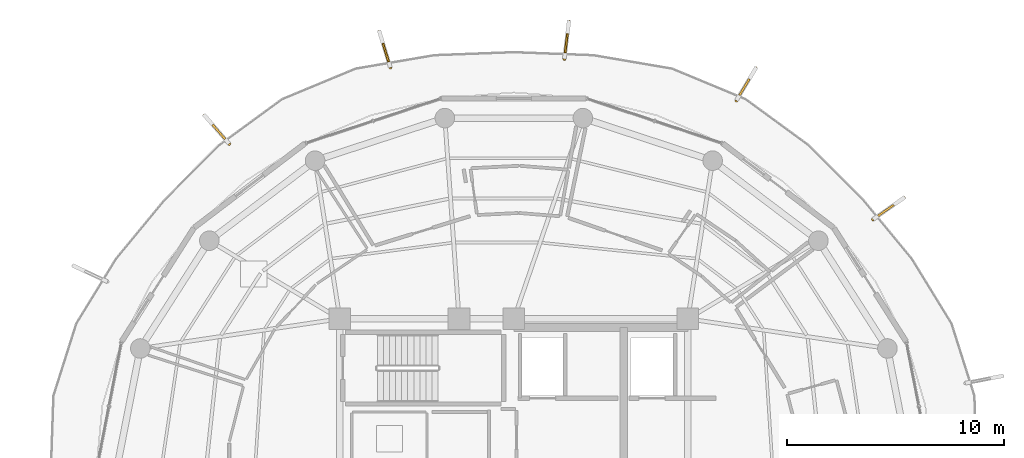
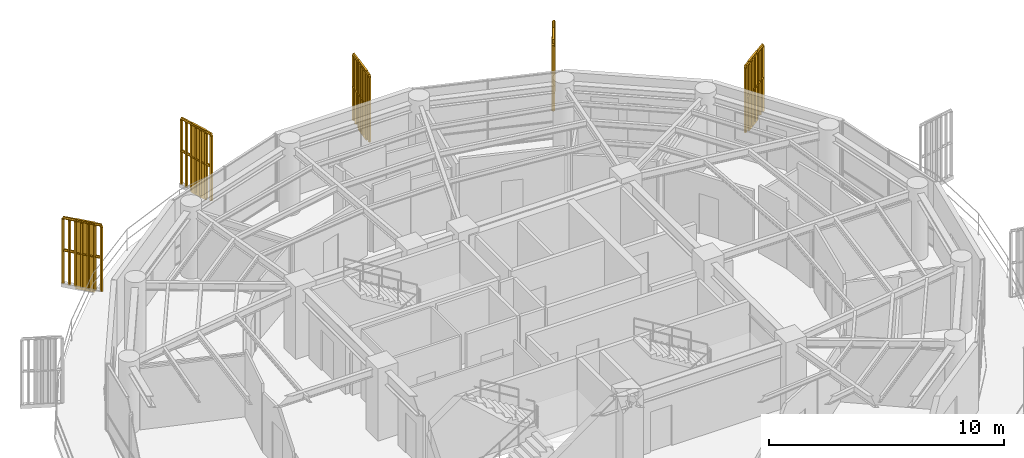
# One storey, part 24 of 24: 5 railings, 5 shading devices.
"""IFC4 building model written with IfcOpenShell, lengths in metres."""

import ifcopenshell
import ifcopenshell.guid

model = None  # the IFC model being written
_history = None  # IfcOwnerHistory: only IFC2X3 demands one
_inside = {}  # id of a spatial element -> (the spatial element, [elements in it])
_under = {}  # id of a project, library or spatial element -> (it, [spatial elements below it])
_declared = {}  # id of a project -> (the project, [libraries it declares])
_typed = {}  # id of a type object -> (the type object, [elements of that type])
_made_of = {}  # id of a material, layer set ... -> (it, [elements and type objects made of it])


def new_model(schema):
    """Start an empty IFC model of exactly this schema.

    Asked for "IFC4X3", IfcOpenShell would pick the latest addendum, in which some entities
    have other attributes; the version numbers below select the first issue.
    IFC2X3 requires an IfcOwnerHistory on every rooted entity: one is made here for all.
    """
    global model, _history
    if schema == "IFC4X3":
        model = ifcopenshell.file(schema_version=(4, 3, 0, 0))
    else:
        model = ifcopenshell.file(schema=schema)
    _inside.clear()
    _under.clear()
    _declared.clear()
    _typed.clear()
    _made_of.clear()
    _history = None
    if model.schema == "IFC2X3":
        org = make("IfcOrganization", Name="unknown")
        user = make(
            "IfcPersonAndOrganization",
            ThePerson=make("IfcPerson", FamilyName="unknown"),
            TheOrganization=org,
        )
        app = make(
            "IfcApplication",
            ApplicationDeveloper=org,
            Version="unknown",
            ApplicationFullName="unknown",
            ApplicationIdentifier="unknown",
        )
        _history = make(
            "IfcOwnerHistory",
            OwningUser=user,
            OwningApplication=app,
            ChangeAction="ADDED",
            CreationDate=0,
        )
    return model


def make(cls, **values):
    """One entity of the class cls with the attributes given. An attribute that is None is left unset."""
    return model.create_entity(
        cls, **{name: value for name, value in values.items() if value is not None}
    )


def rooted(cls, **values):
    """An entity with a GlobalId (a new one), such as an element, a storey or a relation."""
    return make(cls, GlobalId=ifcopenshell.guid.new(), OwnerHistory=_history, **values)


def si_unit(unit_type, name, prefix=None):
    """IfcSIUnit, for example si_unit("LENGTHUNIT", "METRE", prefix="MILLI")."""
    return make("IfcSIUnit", UnitType=unit_type, Prefix=prefix, Name=name)


def assignment(units):
    """IfcUnitAssignment: the units of a project."""
    return None if units is None else make("IfcUnitAssignment", Units=units)


def point(xyz):
    """IfcCartesianPoint."""
    return None if xyz is None else make("IfcCartesianPoint", Coordinates=xyz)


def direction(xyz):
    """IfcDirection."""
    return None if xyz is None else make("IfcDirection", DirectionRatios=xyz)


def frame(location, z_axis=None, x_axis=None):
    """IfcAxis2Placement3D, a coordinate frame: its origin and axes. An axis left out is left unset."""
    return make(
        "IfcAxis2Placement3D",
        Location=point(location),
        Axis=direction(z_axis),
        RefDirection=direction(x_axis),
    )


def frame_2d(location, x_axis=None):
    """IfcAxis2Placement2D, a coordinate frame in the plane: its origin and x axis."""
    return make(
        "IfcAxis2Placement2D", Location=point(location), RefDirection=direction(x_axis)
    )


def origin():
    """The frame at (0, 0, 0) with its axes left unset."""
    return frame((0.0, 0.0, 0.0))


def origin_2d():
    """The frame at (0, 0) in the plane with its x axis left unset."""
    return frame_2d((0.0, 0.0))


def place(relative_to, where):
    """IfcLocalPlacement: puts the frame where relative to a parent placement (None: the world)."""
    return make(
        "IfcLocalPlacement", PlacementRelTo=relative_to, RelativePlacement=where
    )


def context(
    kind, dimensions, precision=None, world=None, true_north=None, identifier=None
):
    """IfcGeometricRepresentationContext, for example the 3D "Model" context."""
    return make(
        "IfcGeometricRepresentationContext",
        ContextIdentifier=identifier,
        ContextType=kind,
        CoordinateSpaceDimension=dimensions,
        Precision=precision,
        WorldCoordinateSystem=world,
        TrueNorth=true_north,
    )


def subcontext(parent, identifier, kind, view, scale=None):
    """IfcGeometricRepresentationSubContext, for example "Body" below "Model"."""
    return make(
        "IfcGeometricRepresentationSubContext",
        ContextIdentifier=identifier,
        ContextType=kind,
        ParentContext=parent,
        TargetScale=scale,
        TargetView=view,
    )


def project(units=None, contexts=None):
    """IfcProject with its units and contexts."""
    return rooted(
        "IfcProject",
        Name="project",
        RepresentationContexts=contexts,
        UnitsInContext=assignment(units),
    )


def spatial(cls, under=None, at=None, **own):
    """A site, building, storey or space (cls), placed at a placement, below another one or the project."""
    s = rooted(cls, ObjectPlacement=at, **own)
    if under is not None:
        _under.setdefault(under.id(), (under, []))[1].append(s)
    return s


def polyline(points):
    """IfcPolyline through the points."""
    return make("IfcPolyline", Points=[point(p) for p in points])


def profile(cls, at=None, kind="AREA", **sizes):
    """A parametric profile (cls). Its sizes go by their IFC names, for example OverallWidth=200.0."""
    return make(cls, ProfileType=kind, Position=at, **sizes)


def rectangle(**sizes):
    """IfcRectangleProfileDef."""
    return profile("IfcRectangleProfileDef", **sizes)


def outline(outer, holes=None, kind="AREA"):
    """IfcArbitraryClosedProfileDef: a profile drawn as a closed curve; with holes, ...WithVoids."""
    if holes is None:
        return make("IfcArbitraryClosedProfileDef", ProfileType=kind, OuterCurve=outer)
    return make(
        "IfcArbitraryProfileDefWithVoids",
        ProfileType=kind,
        OuterCurve=outer,
        InnerCurves=holes,
    )


def extrude(swept, where, along, depth):
    """IfcExtrudedAreaSolid: the profile swept, set in the frame where, extruded along a direction by depth."""
    return make(
        "IfcExtrudedAreaSolid",
        SweptArea=swept,
        Position=where,
        ExtrudedDirection=direction(along),
        Depth=depth,
    )


def shape(context_of_items, identifier, shape_type, items):
    """IfcShapeRepresentation: the items that make up one representation, for example the "Body"."""
    return make(
        "IfcShapeRepresentation",
        ContextOfItems=context_of_items,
        RepresentationIdentifier=identifier,
        RepresentationType=shape_type,
        Items=items,
    )


def source(mapping_origin, context_of_items, identifier, shape_type, items):
    """IfcRepresentationMap: a shape defined once, which mapped items show again and again."""
    return make(
        "IfcRepresentationMap",
        MappingOrigin=mapping_origin,
        MappedRepresentation=shape(context_of_items, identifier, shape_type, items),
    )


def transform(
    local_origin,
    x_axis=None,
    y_axis=None,
    z_axis=None,
    scale=None,
    scale2=None,
    scale3=None,
    uniform=True,
):
    """IfcCartesianTransformationOperator3D, or its non-uniform kind. x_axis, y_axis, z_axis: its Axis1, 2, 3."""
    if uniform:
        return make(
            "IfcCartesianTransformationOperator3D",
            Axis1=direction(x_axis),
            Axis2=direction(y_axis),
            LocalOrigin=point(local_origin),
            Scale=scale,
            Axis3=direction(z_axis),
        )
    return make(
        "IfcCartesianTransformationOperator3DnonUniform",
        Axis1=direction(x_axis),
        Axis2=direction(y_axis),
        LocalOrigin=point(local_origin),
        Scale=scale,
        Axis3=direction(z_axis),
        Scale2=scale2,
        Scale3=scale3,
    )


def mapped(mapping_source, mapping_target):
    """IfcMappedItem: shows the shape of a source again, moved by a transform."""
    return make(
        "IfcMappedItem", MappingSource=mapping_source, MappingTarget=mapping_target
    )


def material(Name=None, Category=None):
    """IfcMaterial."""
    return make("IfcMaterial", Name=Name, Category=Category)


def made_of(thing, what):
    """Note that an element or type object is made of a material, layer set ...; save() writes the relation."""
    if what is not None:
        _made_of.setdefault(what.id(), (what, []))[1].append(thing)
    return thing


def type_object(cls, material=None, **own):
    """A type object (cls), such as IfcWallType, which elements share."""
    return made_of(rooted(cls, **own), material)


def element(
    cls,
    number,
    at=None,
    inside=None,
    cuts=None,
    type_object=None,
    material=None,
    context=None,
    identifier="Body",
    shape_type=None,
    held_by="IfcProductDefinitionShape",
    body=None,
    shapes=None,
    **own,
):
    """One element of the class cls, such as IfcWall. Its Tag is "e" and its number.

    at: its placement. inside: the storey or other place that contains it. cuts: it is an
    opening in that element (IfcRelVoidsElement). A single representation is given by context,
    identifier, shape_type and body (its items); several are given by shapes. held_by: the class
    of the entity that holds the representations. save() writes the other relations.
    """
    e = rooted(cls, Tag="e%d" % number, ObjectPlacement=at, **own)
    if body is not None:
        shapes = [shape(context, identifier, shape_type, body)]
    if shapes is not None:
        e.Representation = make(held_by, Representations=shapes)
    if inside is not None:
        _inside.setdefault(inside.id(), (inside, []))[1].append(e)
    if cuts is not None:
        rooted(
            "IfcRelVoidsElement", RelatingBuildingElement=cuts, RelatedOpeningElement=e
        )
    if type_object is not None:
        _typed.setdefault(type_object.id(), (type_object, []))[1].append(e)
    return made_of(e, material)


def aggregate(whole, parts):
    """IfcRelAggregates: a whole, such as a stair, and the parts it consists of."""
    return rooted("IfcRelAggregates", RelatingObject=whole, RelatedObjects=parts)


def save(model, path):
    """Write the relations noted so far, then the file.

    IfcRelAggregates (storeys below a building ...), IfcRelContainedInSpatialStructure (elements
    in a storey), IfcRelDefinesByType, IfcRelAssociatesMaterial and IfcRelDeclares: one each for
    every whole, place, type object, material and project.
    """
    for whole, parts in _under.values():
        aggregate(whole, parts)
    for where, things in _inside.values():
        rooted(
            "IfcRelContainedInSpatialStructure",
            RelatedElements=things,
            RelatingStructure=where,
        )
    for kind, things in _typed.values():
        rooted("IfcRelDefinesByType", RelatedObjects=things, RelatingType=kind)
    for what, things in _made_of.values():
        rooted("IfcRelAssociatesMaterial", RelatedObjects=things, RelatingMaterial=what)
    for by, libraries in _declared.values():
        rooted("IfcRelDeclares", RelatingContext=by, RelatedDefinitions=libraries)
    model.write(path)


model = new_model("IFC4")

# Units and contexts
model_context = context("Model", 3, precision=1e-05, world=origin(), true_north=direction((0.0, 1.0)))
body_context = subcontext(model_context, "Body", "Model", "MODEL_VIEW")
ifc_project = project(units=[si_unit("LENGTHUNIT", "METRE"), si_unit("AREAUNIT", "SQUARE_METRE"), si_unit("VOLUMEUNIT", "CUBIC_METRE"), si_unit("PLANEANGLEUNIT", "RADIAN"), si_unit("MASSUNIT", "GRAM", prefix="KILO")], contexts=[model_context])

# Site, building, storey
site_placement = place(None, origin())
site = spatial("IfcSite", under=ifc_project, at=site_placement, CompositionType="ELEMENT")
building_placement = place(site_placement, origin())
building = spatial("IfcBuilding", under=site, at=building_placement, Name="Kelanora Arch Commons", CompositionType="ELEMENT")
storey_placement = place(building_placement, frame((0.0, 0.0, 248.699951171875)))
storey = spatial("IfcBuildingStorey", under=building, at=storey_placement, Name="L63", CompositionType="ELEMENT", Elevation=248.699951171875)

# Railings
ifc_material_1 = material(Name="Anodised bronze vertical shading fin rib assembly")
railing_type = type_object("IfcRailingType", Name="RAIL-FIN-BRZ", PredefinedType="BALUSTRADE", material=ifc_material_1)
railing_1_placement = place(storey_placement, frame((90.516357421875, 69.5712890625, -0.02001953125)))
element("IfcRailing", 1, at=railing_1_placement, inside=storey, type_object=railing_type, Name="Sweeping Bronze Vertical Fin Blade L63-03", PredefinedType="BALUSTRADE", context=body_context, shape_type="SweptSolid", body=[
    extrude(outline(polyline([(0.06982421875, 0.0), (0.034912109375, 0.060546875), (-0.034912109375, 0.060546875), (-0.06982421875, 0.0), (-0.034912109375, -0.060546875), (0.034912109375, -0.060546875), (0.06982421875, 0.0)])), frame((0.0, 0.0, 3.419921875), z_axis=(0.818973258071, 0.573831684873, 0.0), x_axis=(-0.573831684873, 0.818973258071, 0.0)), (0.0, 0.0, 1.0), 1.72998046875),
    extrude(outline(polyline([(0.06982421875, 0.0), (0.034912109375, 0.060546875), (-0.034912109375, 0.060546875), (-0.06982421875, 0.0), (-0.034912109375, -0.060546875), (0.034912109375, -0.060546875), (0.06982421875, 0.0)])), frame((0.0, 0.0, 1.7451171875), z_axis=(0.818973258071, 0.573831684873, 0.0), x_axis=(-0.573831684873, 0.818973258071, 0.0)), (0.0, 0.0, 1.0), 1.72998046875),
    extrude(outline(polyline([(0.080078125, 0.0), (0.0400390625, 0.0693359375), (-0.0400390625, 0.0693359375), (-0.080078125, 0.0), (-0.0400390625, -0.0693359375), (0.0400390625, -0.0693359375), (0.080078125, 0.0)])), origin(), (0.0, 0.0, 1.0), 3.35009765625),
    extrude(outline(polyline([(0.080078125, 0.0), (0.0400390625, 0.0693359375), (-0.0400390625, 0.0693359375), (-0.080078125, 0.0), (-0.0400390625, -0.0693359375), (0.0400390625, -0.0693359375), (0.080078125, 0.0)])), frame((0.236083984375, 0.16552734375, 0.0)), (0.0, 0.0, 1.0), 3.35009765625),
    extrude(outline(polyline([(0.080078125, 0.0), (0.0400390625, 0.0693359375), (-0.0400390625, 0.0693359375), (-0.080078125, 0.0), (-0.0400390625, -0.0693359375), (0.0400390625, -0.0693359375), (0.080078125, 0.0)])), frame((0.47216796875, 0.330810546875, 0.0)), (0.0, 0.0, 1.0), 3.35009765625),
    extrude(outline(polyline([(0.080078125, 0.0), (0.0400390625, 0.0693359375), (-0.0400390625, 0.0693359375), (-0.080078125, 0.0), (-0.0400390625, -0.0693359375), (0.0400390625, -0.0693359375), (0.080078125, 0.0)])), frame((0.70849609375, 0.496337890625, 0.0)), (0.0, 0.0, 1.0), 3.35009765625),
    extrude(outline(polyline([(0.080078125, 0.0), (0.0400390625, 0.0693359375), (-0.0400390625, 0.0693359375), (-0.080078125, 0.0), (-0.0400390625, -0.0693359375), (0.0400390625, -0.0693359375), (0.080078125, 0.0)])), frame((0.944580078125, 0.661865234375, 0.0)), (0.0, 0.0, 1.0), 3.35009765625),
    extrude(outline(polyline([(0.080078125, 0.0), (0.0400390625, 0.0693359375), (-0.0400390625, 0.0693359375), (-0.080078125, 0.0), (-0.0400390625, -0.0693359375), (0.0400390625, -0.0693359375), (0.080078125, 0.0)])), frame((1.1806640625, 0.8271484375, 0.0)), (0.0, 0.0, 1.0), 3.35009765625),
    extrude(outline(polyline([(0.080078125, 0.0), (0.0400390625, 0.0693359375), (-0.0400390625, 0.0693359375), (-0.080078125, 0.0), (-0.0400390625, -0.0693359375), (0.0400390625, -0.0693359375), (0.080078125, 0.0)])), frame((1.416748046875, 0.99267578125, 0.0)), (0.0, 0.0, 1.0), 3.35009765625),
])
railing_2_placement = place(storey_placement, frame((84.232666015625, 75.0400390625, -0.02001953125)))
element("IfcRailing", 2, at=railing_2_placement, inside=storey, type_object=railing_type, Name="Sweeping Bronze Vertical Fin Blade L63-04", PredefinedType="BALUSTRADE", context=body_context, shape_type="SweptSolid", body=[
    extrude(outline(polyline([(0.06982421875, 0.0), (0.034912109375, 0.060546875), (-0.034912109375, 0.060546875), (-0.06982421875, 0.0), (-0.034912109375, -0.060546875), (0.034912109375, -0.060546875), (0.06982421875, 0.0)])), frame((0.0, 0.0, 3.419921875), z_axis=(0.514807016402, 0.857306092282, 0.0), x_axis=(-0.857306092282, 0.514807016402, 0.0)), (0.0, 0.0, 1.0), 1.72998046875),
    extrude(outline(polyline([(0.06982421875, 0.0), (0.034912109375, 0.060546875), (-0.034912109375, 0.060546875), (-0.06982421875, 0.0), (-0.034912109375, -0.060546875), (0.034912109375, -0.060546875), (0.06982421875, 0.0)])), frame((0.0, 0.0, 1.7451171875), z_axis=(0.514807016402, 0.857306092282, 0.0), x_axis=(-0.857306092282, 0.514807016402, 0.0)), (0.0, 0.0, 1.0), 1.72998046875),
    extrude(outline(polyline([(0.080078125, 0.0), (0.0400390625, 0.0693359375), (-0.0400390625, 0.0693359375), (-0.080078125, 0.0), (-0.0400390625, -0.0693359375), (0.0400390625, -0.0693359375), (0.080078125, 0.0)])), origin(), (0.0, 0.0, 1.0), 3.35009765625),
    extrude(outline(polyline([(0.080078125, 0.0), (0.0400390625, 0.0693359375), (-0.0400390625, 0.0693359375), (-0.080078125, 0.0), (-0.0400390625, -0.0693359375), (0.0400390625, -0.0693359375), (0.080078125, 0.0)])), frame((0.1484375, 0.2470703125, 0.0)), (0.0, 0.0, 1.0), 3.35009765625),
    extrude(outline(polyline([(0.080078125, 0.0), (0.0400390625, 0.0693359375), (-0.0400390625, 0.0693359375), (-0.080078125, 0.0), (-0.0400390625, -0.0693359375), (0.0400390625, -0.0693359375), (0.080078125, 0.0)])), frame((0.296875, 0.494384765625, 0.0)), (0.0, 0.0, 1.0), 3.35009765625),
    extrude(outline(polyline([(0.080078125, 0.0), (0.0400390625, 0.0693359375), (-0.0400390625, 0.0693359375), (-0.080078125, 0.0), (-0.0400390625, -0.0693359375), (0.0400390625, -0.0693359375), (0.080078125, 0.0)])), frame((0.4453125, 0.74169921875, 0.0)), (0.0, 0.0, 1.0), 3.35009765625),
    extrude(outline(polyline([(0.080078125, 0.0), (0.0400390625, 0.0693359375), (-0.0400390625, 0.0693359375), (-0.080078125, 0.0), (-0.0400390625, -0.0693359375), (0.0400390625, -0.0693359375), (0.080078125, 0.0)])), frame((0.59375, 0.98876953125, 0.0)), (0.0, 0.0, 1.0), 3.35009765625),
    extrude(outline(polyline([(0.080078125, 0.0), (0.0400390625, 0.0693359375), (-0.0400390625, 0.0693359375), (-0.080078125, 0.0), (-0.0400390625, -0.0693359375), (0.0400390625, -0.0693359375), (0.080078125, 0.0)])), frame((0.7421875, 1.23583984375, 0.0)), (0.0, 0.0, 1.0), 3.35009765625),
    extrude(outline(polyline([(0.080078125, 0.0), (0.0400390625, 0.0693359375), (-0.0400390625, 0.0693359375), (-0.080078125, 0.0), (-0.0400390625, -0.0693359375), (0.0400390625, -0.0693359375), (0.080078125, 0.0)])), frame((0.890625, 1.483154296875, 0.0)), (0.0, 0.0, 1.0), 3.35009765625),
])
railing_3_placement = place(storey_placement, frame((76.322021484375, 76.95263671875, -0.02001953125)))
element("IfcRailing", 3, at=railing_3_placement, inside=storey, type_object=railing_type, Name="Sweeping Bronze Vertical Fin Blade L63-05", PredefinedType="BALUSTRADE", context=body_context, shape_type="SweptSolid", body=[
    extrude(outline(polyline([(0.06982421875, 0.0), (0.034912109375, 0.060546875), (-0.034912109375, 0.060546875), (-0.06982421875, 0.0), (-0.034912109375, -0.060546875), (0.034912109375, -0.060546875), (0.06982421875, 0.0)])), frame((0.0, 0.0, 3.419921875), z_axis=(0.121637657206, 0.992574571682, 0.0), x_axis=(-0.992574571682, 0.121637657206, 0.0)), (0.0, 0.0, 1.0), 1.730224609375),
    extrude(outline(polyline([(0.06982421875, 0.0), (0.034912109375, 0.060546875), (-0.034912109375, 0.060546875), (-0.06982421875, 0.0), (-0.034912109375, -0.060546875), (0.034912109375, -0.060546875), (0.06982421875, 0.0)])), frame((0.0, 0.0, 1.7451171875), z_axis=(0.121637657206, 0.992574571682, 0.0), x_axis=(-0.992574571682, 0.121637657206, 0.0)), (0.0, 0.0, 1.0), 1.730224609375),
    extrude(outline(polyline([(0.080078125, 0.0), (0.0400390625, 0.0693359375), (-0.0400390625, 0.0693359375), (-0.080078125, 0.0), (-0.0400390625, -0.0693359375), (0.0400390625, -0.0693359375), (0.080078125, 0.0)])), origin(), (0.0, 0.0, 1.0), 3.35009765625),
    extrude(outline(polyline([(0.080078125, 0.0), (0.0400390625, 0.0693359375), (-0.0400390625, 0.0693359375), (-0.080078125, 0.0), (-0.0400390625, -0.0693359375), (0.0400390625, -0.0693359375), (0.080078125, 0.0)])), frame((0.03515625, 0.2861328125, 0.0)), (0.0, 0.0, 1.0), 3.35009765625),
    extrude(outline(polyline([(0.080078125, 0.0), (0.0400390625, 0.0693359375), (-0.0400390625, 0.0693359375), (-0.080078125, 0.0), (-0.0400390625, -0.0693359375), (0.0400390625, -0.0693359375), (0.080078125, 0.0)])), frame((0.070068359375, 0.572509765625, 0.0)), (0.0, 0.0, 1.0), 3.35009765625),
    extrude(outline(polyline([(0.080078125, 0.0), (0.0400390625, 0.0693359375), (-0.0400390625, 0.0693359375), (-0.080078125, 0.0), (-0.0400390625, -0.0693359375), (0.0400390625, -0.0693359375), (0.080078125, 0.0)])), frame((0.105224609375, 0.858642578125, 0.0)), (0.0, 0.0, 1.0), 3.35009765625),
    extrude(outline(polyline([(0.080078125, 0.0), (0.0400390625, 0.0693359375), (-0.0400390625, 0.0693359375), (-0.080078125, 0.0), (-0.0400390625, -0.0693359375), (0.0400390625, -0.0693359375), (0.080078125, 0.0)])), frame((0.140380859375, 1.144775390625, 0.0)), (0.0, 0.0, 1.0), 3.35009765625),
    extrude(outline(polyline([(0.080078125, 0.0), (0.0400390625, 0.0693359375), (-0.0400390625, 0.0693359375), (-0.080078125, 0.0), (-0.0400390625, -0.0693359375), (0.0400390625, -0.0693359375), (0.080078125, 0.0)])), frame((0.17529296875, 1.43115234375, 0.0)), (0.0, 0.0, 1.0), 3.35009765625),
    extrude(outline(polyline([(0.080078125, 0.0), (0.0400390625, 0.0693359375), (-0.0400390625, 0.0693359375), (-0.080078125, 0.0), (-0.0400390625, -0.0693359375), (0.0400390625, -0.0693359375), (0.080078125, 0.0)])), frame((0.21044921875, 1.71728515625, 0.0)), (0.0, 0.0, 1.0), 3.35009765625),
])
railing_4_placement = place(storey_placement, frame((68.322021484375, 76.554443359375, -0.02001953125)))
element("IfcRailing", 4, at=railing_4_placement, inside=storey, type_object=railing_type, Name="Sweeping Bronze Vertical Fin Blade L63-06", PredefinedType="BALUSTRADE", context=body_context, shape_type="SweptSolid", body=[
    extrude(outline(polyline([(0.06982421875, 0.0), (0.034912109375, 0.060546875), (-0.034912109375, 0.060546875), (-0.06982421875, 0.0), (-0.034912109375, -0.060546875), (0.034912109375, -0.060546875), (0.06982421875, 0.0)])), frame((0.0, 0.0, 3.419921875), z_axis=(-0.292548370018, 0.956250726117, 0.0), x_axis=(-0.956250726117, -0.292548370018, 0.0)), (0.0, 0.0, 1.0), 1.72998046875),
    extrude(outline(polyline([(0.06982421875, 0.0), (0.034912109375, 0.060546875), (-0.034912109375, 0.060546875), (-0.06982421875, 0.0), (-0.034912109375, -0.060546875), (0.034912109375, -0.060546875), (0.06982421875, 0.0)])), frame((0.0, 0.0, 1.7451171875), z_axis=(-0.292548370018, 0.956250726117, 0.0), x_axis=(-0.956250726117, -0.292548370018, 0.0)), (0.0, 0.0, 1.0), 1.72998046875),
    extrude(outline(polyline([(0.080078125, 0.0), (0.0400390625, 0.0693359375), (-0.0400390625, 0.0693359375), (-0.080078125, 0.0), (-0.0400390625, -0.0693359375), (0.0400390625, -0.0693359375), (0.080078125, 0.0)])), origin(), (0.0, 0.0, 1.0), 3.35009765625),
    extrude(outline(polyline([(0.080078125, 0.0), (0.0400390625, 0.0693359375), (-0.0400390625, 0.0693359375), (-0.080078125, 0.0), (-0.0400390625, -0.0693359375), (0.0400390625, -0.0693359375), (0.080078125, 0.0)])), frame((-0.08447265625, 0.275634765625, 0.0)), (0.0, 0.0, 1.0), 3.35009765625),
    extrude(outline(polyline([(0.080078125, 0.0), (0.0400390625, 0.0693359375), (-0.0400390625, 0.0693359375), (-0.080078125, 0.0), (-0.0400390625, -0.0693359375), (0.0400390625, -0.0693359375), (0.080078125, 0.0)])), frame((-0.168701171875, 0.551513671875, 0.0)), (0.0, 0.0, 1.0), 3.35009765625),
    extrude(outline(polyline([(0.080078125, 0.0), (0.0400390625, 0.0693359375), (-0.0400390625, 0.0693359375), (-0.080078125, 0.0), (-0.0400390625, -0.0693359375), (0.0400390625, -0.0693359375), (0.080078125, 0.0)])), frame((-0.2529296875, 0.8271484375, 0.0)), (0.0, 0.0, 1.0), 3.35009765625),
    extrude(outline(polyline([(0.080078125, 0.0), (0.0400390625, 0.0693359375), (-0.0400390625, 0.0693359375), (-0.080078125, 0.0), (-0.0400390625, -0.0693359375), (0.0400390625, -0.0693359375), (0.080078125, 0.0)])), frame((-0.33740234375, 1.102783203125, 0.0)), (0.0, 0.0, 1.0), 3.35009765625),
    extrude(outline(polyline([(0.080078125, 0.0), (0.0400390625, 0.0693359375), (-0.0400390625, 0.0693359375), (-0.080078125, 0.0), (-0.0400390625, -0.0693359375), (0.0400390625, -0.0693359375), (0.080078125, 0.0)])), frame((-0.421875, 1.378662109375, 0.0)), (0.0, 0.0, 1.0), 3.35009765625),
    extrude(outline(polyline([(0.080078125, 0.0), (0.0400390625, 0.0693359375), (-0.0400390625, 0.0693359375), (-0.080078125, 0.0), (-0.0400390625, -0.0693359375), (0.0400390625, -0.0693359375), (0.080078125, 0.0)])), frame((-0.506103515625, 1.654296875, 0.0)), (0.0, 0.0, 1.0), 3.35009765625),
])
railing_5_placement = place(storey_placement, frame((60.910400390625, 73.0498046875, -0.02001953125)))
element("IfcRailing", 5, at=railing_5_placement, inside=storey, type_object=railing_type, Name="Sweeping Bronze Vertical Fin Blade L63-07", PredefinedType="BALUSTRADE", context=body_context, shape_type="SweptSolid", body=[
    extrude(outline(polyline([(0.06982421875, 0.0), (0.034912109375, 0.060546875), (-0.034912109375, 0.060546875), (-0.06982421875, 0.0), (-0.034912109375, -0.060546875), (0.034912109375, -0.060546875), (0.06982421875, 0.0)])), frame((0.0, 0.0, 3.419921875), z_axis=(-0.656293993687, 0.754505264296, 0.0), x_axis=(-0.754505264296, -0.656293993687, 0.0)), (0.0, 0.0, 1.0), 1.730224609375),
    extrude(outline(polyline([(0.06982421875, 0.0), (0.034912109375, 0.060546875), (-0.034912109375, 0.060546875), (-0.06982421875, 0.0), (-0.034912109375, -0.060546875), (0.034912109375, -0.060546875), (0.06982421875, 0.0)])), frame((0.0, 0.0, 1.7451171875), z_axis=(-0.656293993687, 0.754505264296, 0.0), x_axis=(-0.754505264296, -0.656293993687, 0.0)), (0.0, 0.0, 1.0), 1.730224609375),
    extrude(outline(polyline([(0.080078125, 0.0), (0.0400390625, 0.0693359375), (-0.0400390625, 0.0693359375), (-0.080078125, 0.0), (-0.0400390625, -0.0693359375), (0.0400390625, -0.0693359375), (0.080078125, 0.0)])), origin(), (0.0, 0.0, 1.0), 3.35009765625),
    extrude(outline(polyline([(0.080078125, 0.0), (0.0400390625, 0.0693359375), (-0.0400390625, 0.0693359375), (-0.080078125, 0.0), (-0.0400390625, -0.0693359375), (0.0400390625, -0.0693359375), (0.080078125, 0.0)])), frame((-0.189208984375, 0.217529296875, 0.0)), (0.0, 0.0, 1.0), 3.35009765625),
    extrude(outline(polyline([(0.080078125, 0.0), (0.0400390625, 0.0693359375), (-0.0400390625, 0.0693359375), (-0.080078125, 0.0), (-0.0400390625, -0.0693359375), (0.0400390625, -0.0693359375), (0.080078125, 0.0)])), frame((-0.37841796875, 0.43505859375, 0.0)), (0.0, 0.0, 1.0), 3.35009765625),
    extrude(outline(polyline([(0.080078125, 0.0), (0.0400390625, 0.0693359375), (-0.0400390625, 0.0693359375), (-0.080078125, 0.0), (-0.0400390625, -0.0693359375), (0.0400390625, -0.0693359375), (0.080078125, 0.0)])), frame((-0.56787109375, 0.65283203125, 0.0)), (0.0, 0.0, 1.0), 3.35009765625),
    extrude(outline(polyline([(0.080078125, 0.0), (0.0400390625, 0.0693359375), (-0.0400390625, 0.0693359375), (-0.080078125, 0.0), (-0.0400390625, -0.0693359375), (0.0400390625, -0.0693359375), (0.080078125, 0.0)])), frame((-0.757080078125, 0.870361328125, 0.0)), (0.0, 0.0, 1.0), 3.35009765625),
    extrude(outline(polyline([(0.080078125, 0.0), (0.0400390625, 0.0693359375), (-0.0400390625, 0.0693359375), (-0.080078125, 0.0), (-0.0400390625, -0.0693359375), (0.0400390625, -0.0693359375), (0.080078125, 0.0)])), frame((-0.9462890625, 1.087890625, 0.0)), (0.0, 0.0, 1.0), 3.35009765625),
    extrude(outline(polyline([(0.080078125, 0.0), (0.0400390625, 0.0693359375), (-0.0400390625, 0.0693359375), (-0.080078125, 0.0), (-0.0400390625, -0.0693359375), (0.0400390625, -0.0693359375), (0.080078125, 0.0)])), frame((-1.135498046875, 1.305419921875, 0.0)), (0.0, 0.0, 1.0), 3.35009765625),
])

# Shading devices
ifc_material_2 = material(Name="Terracotta ceramic-clad extruded aluminium fin", Category="masonry")
shading_device_type = type_object("IfcShadingDeviceType", Name="SHD-FIN-FLARE", PredefinedType="USERDEFINED", material=ifc_material_2)
shared_shape = source(origin(), body_context, "Body", "SweptSolid", [
    extrude(rectangle(XDim=0.8798828125, YDim=0.090087890625, at=origin_2d()), origin(), (0.0, 0.0, 1.0), 3.610107421875),
])
for number, where, z_axis, x_axis, name in (
    (6, (91.10595703125, 69.984375, -0.14013671875), (0.0, 0.0, 1.0), (0.818951778441, 0.573862339406, 0.0), "Sweeping Terracotta Fin L63-03"),
    (7, (84.603271484375, 75.6572265625, -0.14013671875), (0.0, 0.0, 1.0), (0.514738835705, 0.85734703068, 0.0), "Sweeping Terracotta Fin L63-04"),
    (8, (76.40966796875, 77.667236328125, -0.14013671875), (0.0, 0.0, 1.0), (0.121522872021, 0.992588631597, 0.0), "Sweeping Terracotta Fin L63-05"),
    (9, (68.111328125, 77.242919921875, -0.14013671875), (0.0, 0.0, 1.0), (-0.292705500237, 0.956202640726, 0.0), "Sweeping Terracotta Fin L63-06"),
    (10, (60.43798828125, 73.59326171875, -0.14013671875), (0.0, 0.0, 1.0), (-0.656190740668, 0.754595064827, 0.0), "Sweeping Terracotta Fin L63-07"),
):
    element("IfcShadingDevice", number, at=place(storey_placement, frame(where, z_axis=z_axis, x_axis=x_axis)), inside=storey, type_object=shading_device_type, Name=name, ObjectType="FIN", PredefinedType="USERDEFINED", context=body_context, shape_type="MappedRepresentation", body=[
        mapped(shared_shape, transform((0.0, 0.0, 0.0), scale=1.0)),
    ])

save(model, "model.ifc")
